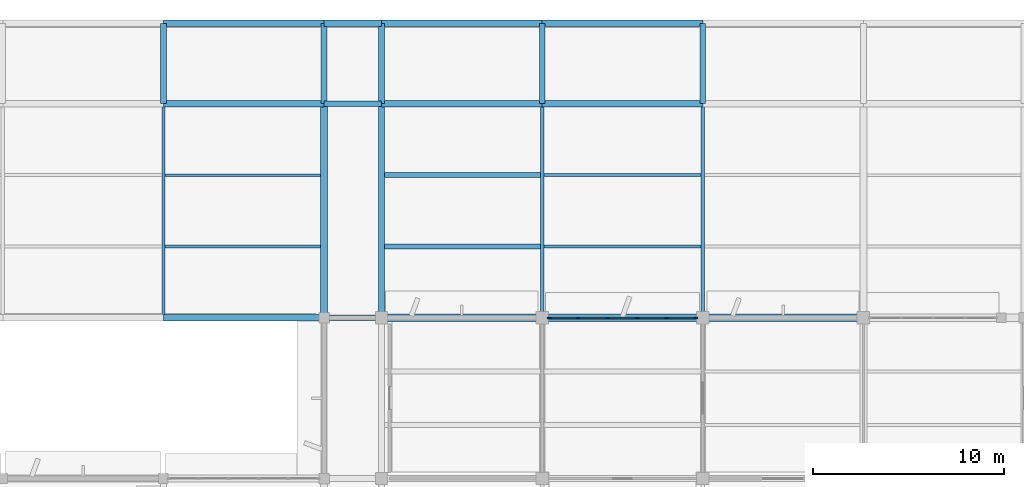
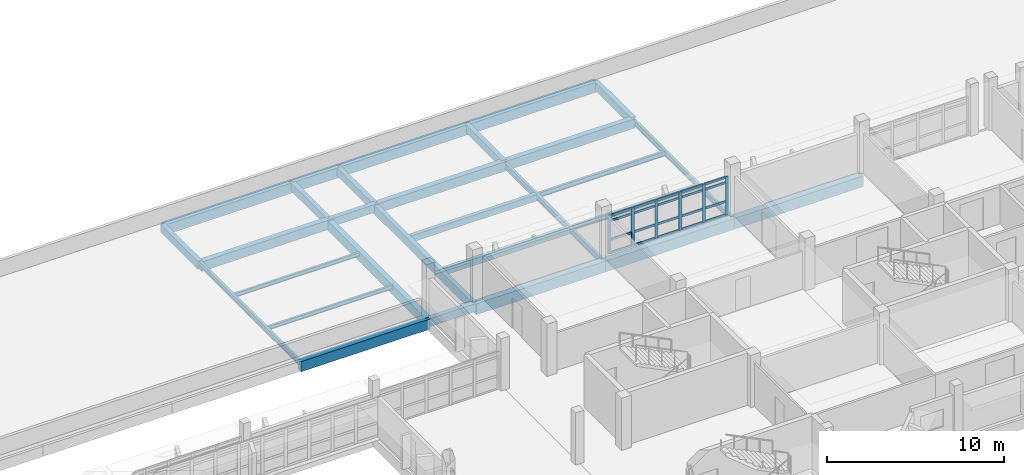
# One storey, part 40 of 92: 29 beams, 26 members, 1 element without a shape of its own.
"""IFC4 building model written with IfcOpenShell, lengths in metres."""

from ifc_helpers import new_model, si_unit, direction, frame, origin, origin_2d, place, context, subcontext, project, spatial, rectangle, i_section, extrude, material, material_profile, profile_set, type_object, element, aggregate, save


model = new_model("IFC4")

# Units and contexts
model_context = context("Model", 3, precision=1e-05, world=origin(), true_north=direction((0.0, 1.0)))
body_context = subcontext(model_context, "Body", "Model", "MODEL_VIEW")
ifc_project = project(units=[si_unit("LENGTHUNIT", "METRE"), si_unit("AREAUNIT", "SQUARE_METRE"), si_unit("VOLUMEUNIT", "CUBIC_METRE"), si_unit("PLANEANGLEUNIT", "RADIAN"), si_unit("MASSUNIT", "GRAM", prefix="KILO")], contexts=[model_context])

# Site, building, storey
site_placement = place(None, origin())
site = spatial("IfcSite", under=ifc_project, at=site_placement, CompositionType="ELEMENT")
building_placement = place(site_placement, origin())
building = spatial("IfcBuilding", under=site, at=building_placement, Name="Vanh Quang Courtyard School", CompositionType="ELEMENT")
storey_placement = place(building_placement, frame((0.0, 0.0, 7.800048828125)))
storey = spatial("IfcBuildingStorey", under=building, at=storey_placement, Name="L02", CompositionType="ELEMENT", Elevation=7.800048828125)

# Beams
ifc_material_1 = material(Name="Concrete C35/45", Category="concrete")
ifc_material_profile_1 = material_profile(ifc_material_1, rectangle(XDim=0.300048828125, YDim=0.550048828125, at=origin_2d()), Name="RC-BM 300x550")
ifc_profile_set_1 = profile_set([ifc_material_profile_1], Name="Concrete C35/45")
beam_type_1 = type_object("IfcBeamType", Name="BM-RC-300x550", PredefinedType="BEAM", material=ifc_profile_set_1)
for number, where, z_axis, x_axis, name in (
    (1, (74.39990234375, 96.60009765625, -0.554931640625), (1.0, 0.0, 0.0), (0.0, 1.0, 0.0), "Beam B-07 (L02)"),
    (2, (74.39990234375, 107.800048828125, -0.4951171875), (1.0, 0.0, 0.0), (0.0, 1.0, 0.0), "Beam B-07 (L02)"),
):
    element("IfcBeam", number, at=place(storey_placement, frame(where, z_axis=z_axis, x_axis=x_axis)), inside=storey, type_object=beam_type_1, Name=name, PredefinedType="BEAM", context=body_context, shape_type="SweptSolid", body=[
        extrude(rectangle(XDim=0.300048828125, YDim=0.550048828125, at=origin_2d()), origin(), (0.0, 0.0, 1.0), 3.0),
    ])
for number, where, z_axis, x_axis, name in (
    (3, (66.0, 107.800048828125, -0.4951171875), (0.0, 1.0, 0.0), (-1.0, 0.0, 0.0), "Beam B-07 (L02)"),
    (4, (74.39990234375, 107.800048828125, -0.4951171875), (0.0, 1.0, 0.0), (-1.0, 0.0, 0.0), "Beam B-07 (L02)"),
    (5, (77.39990234375, 107.800048828125, -0.4951171875), (0.0, 1.0, 0.0), (-1.0, 0.0, 0.0), "Beam B-07 (L02)"),
    (6, (85.800048828125, 107.800048828125, -0.4951171875), (0.0, 1.0, 0.0), (-1.0, 0.0, 0.0), "Beam B-07 (L02)"),
    (7, (94.199951171875, 107.800048828125, -0.4951171875), (0.0, 1.0, 0.0), (-1.0, 0.0, 0.0), "Beam B-07 (L02)"),
):
    element("IfcBeam", number, at=place(storey_placement, frame(where, z_axis=z_axis, x_axis=x_axis)), inside=storey, type_object=beam_type_1, Name=name, PredefinedType="BEAM", context=body_context, shape_type="SweptSolid", body=[
        extrude(rectangle(XDim=0.300048828125, YDim=0.550048828125, at=origin_2d()), origin(), (0.0, 0.0, 1.0), 4.199951171875),
    ])
ifc_material_profile_2 = material_profile(ifc_material_1, rectangle(XDim=0.300048828125, YDim=0.60009765625, at=origin_2d()), Name="RC-BM 300x600")
ifc_profile_set_2 = profile_set([ifc_material_profile_2], Name="Concrete C35/45")
beam_type_2 = type_object("IfcBeamType", Name="BM-RC-300x600", PredefinedType="BEAM", material=ifc_profile_set_2)
beam_1_placement = place(storey_placement, frame((77.39990234375, 96.60009765625, -0.580078125), z_axis=(0.0, 1.0, 0.0), x_axis=(-1.0, 0.0, 0.0)))
element("IfcBeam", 8, at=beam_1_placement, inside=storey, type_object=beam_type_2, Name="Beam B-06 (L02)", PredefinedType="BEAM", context=body_context, shape_type="SweptSolid", body=[
    extrude(rectangle(XDim=0.300048828125, YDim=0.60009765625, at=origin_2d()), origin(), (0.0, 0.0, 1.0), 11.199951171875),
])
ifc_material_profile_3 = material_profile(ifc_material_1, rectangle(XDim=0.35009765625, YDim=0.64990234375, at=origin_2d()), Name="RC-BM 350x650")
ifc_profile_set_3 = profile_set([ifc_material_profile_3], Name="Concrete C35/45")
beam_type_3 = type_object("IfcBeamType", Name="BM-RC-350x650", PredefinedType="BEAM", material=ifc_profile_set_3)
beam_2_placement = place(storey_placement, frame((66.0, 107.800048828125, -0.545166015625), z_axis=(1.0, 0.0, 0.0), x_axis=(0.0, 1.0, 0.0)))
element("IfcBeam", 9, at=beam_2_placement, inside=storey, type_object=beam_type_3, Name="Beam B-05 (L02)", PredefinedType="BEAM", context=body_context, shape_type="SweptSolid", body=[
    extrude(rectangle(XDim=0.35009765625, YDim=0.64990234375, at=origin_2d()), origin(), (0.0, 0.0, 1.0), 8.39990234375),
])
beam_3_placement = place(storey_placement, frame((77.39990234375, 107.800048828125, -0.545166015625), z_axis=(1.0, 0.0, 0.0), x_axis=(0.0, 1.0, 0.0)))
element("IfcBeam", 10, at=beam_3_placement, inside=storey, type_object=beam_type_3, Name="Beam B-05 (L02)", PredefinedType="BEAM", context=body_context, shape_type="SweptSolid", body=[
    extrude(rectangle(XDim=0.35009765625, YDim=0.64990234375, at=origin_2d()), origin(), (0.0, 0.0, 1.0), 8.400146484375),
])
beam_4_placement = place(storey_placement, frame((85.800048828125, 107.800048828125, -0.545166015625), z_axis=(1.0, 0.0, 0.0), x_axis=(0.0, 1.0, 0.0)))
element("IfcBeam", 11, at=beam_4_placement, inside=storey, type_object=beam_type_3, Name="Beam B-05 (L02)", PredefinedType="BEAM", context=body_context, shape_type="SweptSolid", body=[
    extrude(rectangle(XDim=0.35009765625, YDim=0.64990234375, at=origin_2d()), origin(), (0.0, 0.0, 1.0), 8.39990234375),
])
beam_5_placement = place(storey_placement, frame((74.39990234375, 96.60009765625, -0.60498046875), z_axis=(0.0, 1.0, 0.0), x_axis=(-1.0, 0.0, 0.0)))
element("IfcBeam", 12, at=beam_5_placement, inside=storey, type_object=beam_type_3, Name="Beam B-05 (L02)", PredefinedType="BEAM", context=body_context, shape_type="SweptSolid", body=[
    extrude(rectangle(XDim=0.35009765625, YDim=0.64990234375, at=origin_2d()), origin(), (0.0, 0.0, 1.0), 11.199951171875),
])
ifc_material_profile_4 = material_profile(ifc_material_1, rectangle(XDim=0.35009765625, YDim=0.699951171875, at=origin_2d()), Name="RC-BM 350x700")
ifc_profile_set_4 = profile_set([ifc_material_profile_4], Name="Concrete C35/45")
beam_type_4 = type_object("IfcBeamType", Name="BM-RC-350x700", PredefinedType="BEAM", material=ifc_profile_set_4)
for number, where, z_axis, x_axis, name in (
    (13, (66.0, 96.60009765625, -0.630126953125), (1.0, 0.0, 0.0), (0.0, 1.0, 0.0), "Beam B-04 (L02)"),
    (14, (66.0, 112.0, -0.570068359375), (1.0, 0.0, 0.0), (0.0, 1.0, 0.0), "Beam B-04 (L02)"),
):
    element("IfcBeam", number, at=place(storey_placement, frame(where, z_axis=z_axis, x_axis=x_axis)), inside=storey, type_object=beam_type_4, Name=name, PredefinedType="BEAM", context=body_context, shape_type="SweptSolid", body=[
        extrude(rectangle(XDim=0.35009765625, YDim=0.699951171875, at=origin_2d()), origin(), (0.0, 0.0, 1.0), 8.39990234375),
    ])
beam_6_placement = place(storey_placement, frame((74.39990234375, 112.0, -0.570068359375), z_axis=(1.0, 0.0, 0.0), x_axis=(0.0, 1.0, 0.0)))
element("IfcBeam", 15, at=beam_6_placement, inside=storey, type_object=beam_type_4, Name="Beam B-04 (L02)", PredefinedType="BEAM", context=body_context, shape_type="SweptSolid", body=[
    extrude(rectangle(XDim=0.35009765625, YDim=0.699951171875, at=origin_2d()), origin(), (0.0, 0.0, 1.0), 3.0),
])
beam_7_placement = place(storey_placement, frame((77.39990234375, 112.0, -0.570068359375), z_axis=(1.0, 0.0, 0.0), x_axis=(0.0, 1.0, 0.0)))
element("IfcBeam", 16, at=beam_7_placement, inside=storey, type_object=beam_type_4, Name="Beam B-04 (L02)", PredefinedType="BEAM", context=body_context, shape_type="SweptSolid", body=[
    extrude(rectangle(XDim=0.35009765625, YDim=0.699951171875, at=origin_2d()), origin(), (0.0, 0.0, 1.0), 8.400146484375),
])
beam_8_placement = place(storey_placement, frame((85.800048828125, 112.0, -0.570068359375), z_axis=(1.0, 0.0, 0.0), x_axis=(0.0, 1.0, 0.0)))
element("IfcBeam", 17, at=beam_8_placement, inside=storey, type_object=beam_type_4, Name="Beam B-04 (L02)", PredefinedType="BEAM", context=body_context, shape_type="SweptSolid", body=[
    extrude(rectangle(XDim=0.35009765625, YDim=0.699951171875, at=origin_2d()), origin(), (0.0, 0.0, 1.0), 8.39990234375),
])
ifc_material_profile_5 = material_profile(ifc_material_1, rectangle(XDim=0.39990234375, YDim=0.75, at=origin_2d()), Name="RC-BM 400x750")
ifc_profile_set_5 = profile_set([ifc_material_profile_5], Name="Concrete C35/45")
beam_type_5 = type_object("IfcBeamType", Name="BM-RC-400x750", PredefinedType="BEAM", material=ifc_profile_set_5)
beam_9_placement = place(storey_placement, frame((77.39990234375, 96.60009765625, -0.655029296875), z_axis=(1.0, 0.0, 0.0), x_axis=(0.0, 1.0, 0.0)))
element("IfcBeam", 18, at=beam_9_placement, inside=storey, type_object=beam_type_5, Name="Beam B-03 (L02)", PredefinedType="BEAM", context=body_context, shape_type="SweptSolid", body=[
    extrude(rectangle(XDim=0.39990234375, YDim=0.75, at=origin_2d()), origin(), (0.0, 0.0, 1.0), 8.400146484375),
])
beam_10_placement = place(storey_placement, frame((85.800048828125, 96.60009765625, -0.655029296875), z_axis=(1.0, 0.0, 0.0), x_axis=(0.0, 1.0, 0.0)))
element("IfcBeam", 19, at=beam_10_placement, inside=storey, type_object=beam_type_5, Name="Beam B-03 (L02)", PredefinedType="BEAM", context=body_context, shape_type="SweptSolid", body=[
    extrude(rectangle(XDim=0.39990234375, YDim=0.75, at=origin_2d()), origin(), (0.0, 0.0, 1.0), 8.39990234375),
])
beam_11_placement = place(storey_placement, frame((94.199951171875, 96.60009765625, -0.655029296875), z_axis=(1.0, 0.0, 0.0), x_axis=(0.0, 1.0, 0.0)))
element("IfcBeam", 20, at=beam_11_placement, inside=storey, type_object=beam_type_5, Name="Beam B-03 (L02)", PredefinedType="BEAM", context=body_context, shape_type="SweptSolid", body=[
    extrude(rectangle(XDim=0.39990234375, YDim=0.75, at=origin_2d()), origin(), (0.0, 0.0, 1.0), 8.400146484375),
])
ifc_material_2 = material(Name="Structural steel EN 10025-2 S355J2", Category="steel")
ifc_material_profile_6 = material_profile(ifc_material_2, i_section(OverallWidth=0.169921875, OverallDepth=0.360107421875, WebThickness=0.008056640625, FlangeThickness=0.0126953125, FilletRadius=0.01806640625, at=origin_2d()), Name="IPE 360")
ifc_profile_set_6 = profile_set([ifc_material_profile_6], Name="Structural steel EN 10025-2 S355J2")
beam_type_6 = type_object("IfcBeamType", Name="BM-STL-IPE360", PredefinedType="BEAM", material=ifc_profile_set_6)
for number, where, z_axis, x_axis, name in (
    (21, (66.0, 96.60009765625, -0.400146484375), (0.0, 1.0, 0.0), (-1.0, 0.0, 0.0), "Beam SB-06 (L02)"),
    (22, (94.199951171875, 96.60009765625, -0.4599609375), (0.0, 1.0, 0.0), (-1.0, 0.0, 0.0), "Beam SB-06 (L02)"),
):
    element("IfcBeam", number, at=place(storey_placement, frame(where, z_axis=z_axis, x_axis=x_axis)), inside=storey, type_object=beam_type_6, Name=name, PredefinedType="BEAM", context=body_context, shape_type="SweptSolid", body=[
        extrude(i_section(OverallWidth=0.169921875, OverallDepth=0.360107421875, WebThickness=0.008056640625, FlangeThickness=0.0126953125, FilletRadius=0.01806640625, at=origin_2d()), origin(), (0.0, 0.0, 1.0), 11.199951171875),
    ])
ifc_material_profile_7 = material_profile(ifc_material_2, i_section(OverallWidth=0.179931640625, OverallDepth=0.39990234375, WebThickness=0.008544921875, FlangeThickness=0.013427734375, FilletRadius=0.02099609375, at=origin_2d()), Name="IPE 400")
ifc_profile_set_7 = profile_set([ifc_material_profile_7], Name="Structural steel EN 10025-2 S355J2")
beam_type_7 = type_object("IfcBeamType", Name="BM-STL-IPE400", PredefinedType="BEAM", material=ifc_profile_set_7)
beam_12_placement = place(storey_placement, frame((85.800048828125, 96.60009765625, -0.47998046875), z_axis=(0.0, 1.0, 0.0), x_axis=(-1.0, 0.0, 0.0)))
element("IfcBeam", 23, at=beam_12_placement, inside=storey, type_object=beam_type_7, Name="Beam SB-05 (L02)", PredefinedType="BEAM", context=body_context, shape_type="SweptSolid", body=[
    extrude(i_section(OverallWidth=0.179931640625, OverallDepth=0.39990234375, WebThickness=0.008544921875, FlangeThickness=0.013427734375, FilletRadius=0.02099609375, at=origin_2d()), origin(), (0.0, 0.0, 1.0), 11.199951171875),
])

# Curtain wall, members
ifc_material_3 = material(Name="Thermally broken aluminium unitised curtain wall", Category="aluminium")
curtain_wall_type = type_object("IfcCurtainWallType", Name="CW-SYS-21", PredefinedType="NOTDEFINED", material=ifc_material_3)
curtain_wall_placement = place(storey_placement, origin())
curtain_wall = element("IfcCurtainWall", 24, at=curtain_wall_placement, inside=storey, type_object=curtain_wall_type, Name="Curtain Wall CW-21 (L02)", PredefinedType="NOTDEFINED")
ifc_material_4 = material(Name="Anodised aluminium 6063-T6", Category="aluminium")
ifc_material_profile_8 = material_profile(ifc_material_4, rectangle(XDim=0.080078125, YDim=0.199951171875, at=origin_2d()), Name="ALU-MUL 80x200")
ifc_profile_set_8 = profile_set([ifc_material_profile_8], Name="Anodised aluminium 6063-T6")
member_type_1 = type_object("IfcMemberType", Name="CW-MUL-80x200", PredefinedType="MULLION", material=ifc_profile_set_8)
member_1_placement = place(storey_placement, frame((86.173095703125, 96.60009765625, 0.0), z_axis=(0.0, 0.0, 1.0), x_axis=(0.0, 1.0, 0.0)))
member_1 = element("IfcMember", 25, at=member_1_placement, type_object=member_type_1, Name="CW-21 mullion 1", PredefinedType="MULLION", context=body_context, shape_type="SweptSolid", body=[
    extrude(rectangle(XDim=0.080078125, YDim=0.199951171875, at=origin_2d()), origin(), (0.0, 0.0, 1.0), 2.639892578125),
])
member_2_placement = place(storey_placement, frame((87.6796875, 96.60009765625, 0.0), z_axis=(0.0, 0.0, 1.0), x_axis=(0.0, 1.0, 0.0)))
member_2 = element("IfcMember", 26, at=member_2_placement, type_object=member_type_1, Name="CW-21 mullion 2", PredefinedType="MULLION", context=body_context, shape_type="SweptSolid", body=[
    extrude(rectangle(XDim=0.080078125, YDim=0.199951171875, at=origin_2d()), origin(), (0.0, 0.0, 1.0), 2.639892578125),
])
member_3_placement = place(storey_placement, frame((89.2265625, 96.60009765625, 0.0), z_axis=(0.0, 0.0, 1.0), x_axis=(0.0, 1.0, 0.0)))
member_3 = element("IfcMember", 27, at=member_3_placement, type_object=member_type_1, Name="CW-21 mullion 3", PredefinedType="MULLION", context=body_context, shape_type="SweptSolid", body=[
    extrude(rectangle(XDim=0.080078125, YDim=0.199951171875, at=origin_2d()), origin(), (0.0, 0.0, 1.0), 2.639892578125),
])
member_4_placement = place(storey_placement, frame((90.7734375, 96.60009765625, 0.0), z_axis=(0.0, 0.0, 1.0), x_axis=(0.0, 1.0, 0.0)))
member_4 = element("IfcMember", 28, at=member_4_placement, type_object=member_type_1, Name="CW-21 mullion 4", PredefinedType="MULLION", context=body_context, shape_type="SweptSolid", body=[
    extrude(rectangle(XDim=0.080078125, YDim=0.199951171875, at=origin_2d()), origin(), (0.0, 0.0, 1.0), 2.639892578125),
])
member_5_placement = place(storey_placement, frame((92.3203125, 96.60009765625, 0.0), z_axis=(0.0, 0.0, 1.0), x_axis=(0.0, 1.0, 0.0)))
member_5 = element("IfcMember", 29, at=member_5_placement, type_object=member_type_1, Name="CW-21 mullion 5", PredefinedType="MULLION", context=body_context, shape_type="SweptSolid", body=[
    extrude(rectangle(XDim=0.080078125, YDim=0.199951171875, at=origin_2d()), origin(), (0.0, 0.0, 1.0), 2.639892578125),
])
member_6_placement = place(storey_placement, frame((93.826904296875, 96.60009765625, 0.0), z_axis=(0.0, 0.0, 1.0), x_axis=(0.0, 1.0, 0.0)))
member_6 = element("IfcMember", 30, at=member_6_placement, type_object=member_type_1, Name="CW-21 mullion 6", PredefinedType="MULLION", context=body_context, shape_type="SweptSolid", body=[
    extrude(rectangle(XDim=0.080078125, YDim=0.199951171875, at=origin_2d()), origin(), (0.0, 0.0, 1.0), 2.639892578125),
])
ifc_material_profile_9 = material_profile(ifc_material_4, rectangle(XDim=0.080078125, YDim=0.14990234375, at=origin_2d()), Name="ALU-TRN 80x150")
ifc_profile_set_9 = profile_set([ifc_material_profile_9], Name="Anodised aluminium 6063-T6")
member_type_2 = type_object("IfcMemberType", Name="CW-TRN-80x150", PredefinedType="USERDEFINED", material=ifc_profile_set_9)
member_7_placement = place(storey_placement, frame((86.212890625, 96.60009765625, 0.0400390625), z_axis=(1.0, 0.0, 0.0), x_axis=(0.0, 1.0, 0.0)))
member_7 = element("IfcMember", 31, at=member_7_placement, type_object=member_type_2, Name="CW-21 transom 1.1", ObjectType="TRANSOM", PredefinedType="USERDEFINED", context=body_context, shape_type="SweptSolid", body=[
    extrude(rectangle(XDim=0.080078125, YDim=0.14990234375, at=origin_2d()), origin(), (0.0, 0.0, 1.0), 1.427001953125),
])
member_8_placement = place(storey_placement, frame((86.212890625, 96.60009765625, 0.949951171875), z_axis=(1.0, 0.0, 0.0), x_axis=(0.0, 1.0, 0.0)))
member_8 = element("IfcMember", 32, at=member_8_placement, type_object=member_type_2, Name="CW-21 transom 1.2", ObjectType="TRANSOM", PredefinedType="USERDEFINED", context=body_context, shape_type="SweptSolid", body=[
    extrude(rectangle(XDim=0.080078125, YDim=0.14990234375, at=origin_2d()), origin(), (0.0, 0.0, 1.0), 1.427001953125),
])
member_9_placement = place(storey_placement, frame((86.212890625, 96.60009765625, 2.25), z_axis=(1.0, 0.0, 0.0), x_axis=(0.0, 1.0, 0.0)))
member_9 = element("IfcMember", 33, at=member_9_placement, type_object=member_type_2, Name="CW-21 transom 1.3", ObjectType="TRANSOM", PredefinedType="USERDEFINED", context=body_context, shape_type="SweptSolid", body=[
    extrude(rectangle(XDim=0.080078125, YDim=0.14990234375, at=origin_2d()), origin(), (0.0, 0.0, 1.0), 1.427001953125),
])
member_10_placement = place(storey_placement, frame((86.212890625, 96.60009765625, 2.599853515625), z_axis=(1.0, 0.0, 0.0), x_axis=(0.0, 1.0, 0.0)))
member_10 = element("IfcMember", 34, at=member_10_placement, type_object=member_type_2, Name="CW-21 transom 1.4", ObjectType="TRANSOM", PredefinedType="USERDEFINED", context=body_context, shape_type="SweptSolid", body=[
    extrude(rectangle(XDim=0.080078125, YDim=0.14990234375, at=origin_2d()), origin(), (0.0, 0.0, 1.0), 1.427001953125),
])
member_11_placement = place(storey_placement, frame((87.7197265625, 96.60009765625, 0.0400390625), z_axis=(1.0, 0.0, 0.0), x_axis=(0.0, 1.0, 0.0)))
member_11 = element("IfcMember", 35, at=member_11_placement, type_object=member_type_2, Name="CW-21 transom 2.1", ObjectType="TRANSOM", PredefinedType="USERDEFINED", context=body_context, shape_type="SweptSolid", body=[
    extrude(rectangle(XDim=0.080078125, YDim=0.14990234375, at=origin_2d()), origin(), (0.0, 0.0, 1.0), 1.466796875),
])
member_12_placement = place(storey_placement, frame((87.7197265625, 96.60009765625, 0.949951171875), z_axis=(1.0, 0.0, 0.0), x_axis=(0.0, 1.0, 0.0)))
member_12 = element("IfcMember", 36, at=member_12_placement, type_object=member_type_2, Name="CW-21 transom 2.2", ObjectType="TRANSOM", PredefinedType="USERDEFINED", context=body_context, shape_type="SweptSolid", body=[
    extrude(rectangle(XDim=0.080078125, YDim=0.14990234375, at=origin_2d()), origin(), (0.0, 0.0, 1.0), 1.466796875),
])
member_13_placement = place(storey_placement, frame((87.7197265625, 96.60009765625, 2.25), z_axis=(1.0, 0.0, 0.0), x_axis=(0.0, 1.0, 0.0)))
member_13 = element("IfcMember", 37, at=member_13_placement, type_object=member_type_2, Name="CW-21 transom 2.3", ObjectType="TRANSOM", PredefinedType="USERDEFINED", context=body_context, shape_type="SweptSolid", body=[
    extrude(rectangle(XDim=0.080078125, YDim=0.14990234375, at=origin_2d()), origin(), (0.0, 0.0, 1.0), 1.466796875),
])
member_14_placement = place(storey_placement, frame((87.7197265625, 96.60009765625, 2.599853515625), z_axis=(1.0, 0.0, 0.0), x_axis=(0.0, 1.0, 0.0)))
member_14 = element("IfcMember", 38, at=member_14_placement, type_object=member_type_2, Name="CW-21 transom 2.4", ObjectType="TRANSOM", PredefinedType="USERDEFINED", context=body_context, shape_type="SweptSolid", body=[
    extrude(rectangle(XDim=0.080078125, YDim=0.14990234375, at=origin_2d()), origin(), (0.0, 0.0, 1.0), 1.466796875),
])
member_15_placement = place(storey_placement, frame((89.2666015625, 96.60009765625, 0.0400390625), z_axis=(1.0, 0.0, 0.0), x_axis=(0.0, 1.0, 0.0)))
member_15 = element("IfcMember", 39, at=member_15_placement, type_object=member_type_2, Name="CW-21 transom 3.1", ObjectType="TRANSOM", PredefinedType="USERDEFINED", context=body_context, shape_type="SweptSolid", body=[
    extrude(rectangle(XDim=0.080078125, YDim=0.14990234375, at=origin_2d()), origin(), (0.0, 0.0, 1.0), 1.466796875),
])
member_16_placement = place(storey_placement, frame((89.2666015625, 96.60009765625, 0.949951171875), z_axis=(1.0, 0.0, 0.0), x_axis=(0.0, 1.0, 0.0)))
member_16 = element("IfcMember", 40, at=member_16_placement, type_object=member_type_2, Name="CW-21 transom 3.2", ObjectType="TRANSOM", PredefinedType="USERDEFINED", context=body_context, shape_type="SweptSolid", body=[
    extrude(rectangle(XDim=0.080078125, YDim=0.14990234375, at=origin_2d()), origin(), (0.0, 0.0, 1.0), 1.466796875),
])
member_17_placement = place(storey_placement, frame((89.2666015625, 96.60009765625, 2.25), z_axis=(1.0, 0.0, 0.0), x_axis=(0.0, 1.0, 0.0)))
member_17 = element("IfcMember", 41, at=member_17_placement, type_object=member_type_2, Name="CW-21 transom 3.3", ObjectType="TRANSOM", PredefinedType="USERDEFINED", context=body_context, shape_type="SweptSolid", body=[
    extrude(rectangle(XDim=0.080078125, YDim=0.14990234375, at=origin_2d()), origin(), (0.0, 0.0, 1.0), 1.466796875),
])
member_18_placement = place(storey_placement, frame((89.2666015625, 96.60009765625, 2.599853515625), z_axis=(1.0, 0.0, 0.0), x_axis=(0.0, 1.0, 0.0)))
member_18 = element("IfcMember", 42, at=member_18_placement, type_object=member_type_2, Name="CW-21 transom 3.4", ObjectType="TRANSOM", PredefinedType="USERDEFINED", context=body_context, shape_type="SweptSolid", body=[
    extrude(rectangle(XDim=0.080078125, YDim=0.14990234375, at=origin_2d()), origin(), (0.0, 0.0, 1.0), 1.466796875),
])
member_19_placement = place(storey_placement, frame((90.8134765625, 96.60009765625, 0.0400390625), z_axis=(1.0, 0.0, 0.0), x_axis=(0.0, 1.0, 0.0)))
member_19 = element("IfcMember", 43, at=member_19_placement, type_object=member_type_2, Name="CW-21 transom 4.1", ObjectType="TRANSOM", PredefinedType="USERDEFINED", context=body_context, shape_type="SweptSolid", body=[
    extrude(rectangle(XDim=0.080078125, YDim=0.14990234375, at=origin_2d()), origin(), (0.0, 0.0, 1.0), 1.466796875),
])
member_20_placement = place(storey_placement, frame((90.8134765625, 96.60009765625, 0.949951171875), z_axis=(1.0, 0.0, 0.0), x_axis=(0.0, 1.0, 0.0)))
member_20 = element("IfcMember", 44, at=member_20_placement, type_object=member_type_2, Name="CW-21 transom 4.2", ObjectType="TRANSOM", PredefinedType="USERDEFINED", context=body_context, shape_type="SweptSolid", body=[
    extrude(rectangle(XDim=0.080078125, YDim=0.14990234375, at=origin_2d()), origin(), (0.0, 0.0, 1.0), 1.466796875),
])
member_21_placement = place(storey_placement, frame((90.8134765625, 96.60009765625, 2.25), z_axis=(1.0, 0.0, 0.0), x_axis=(0.0, 1.0, 0.0)))
member_21 = element("IfcMember", 45, at=member_21_placement, type_object=member_type_2, Name="CW-21 transom 4.3", ObjectType="TRANSOM", PredefinedType="USERDEFINED", context=body_context, shape_type="SweptSolid", body=[
    extrude(rectangle(XDim=0.080078125, YDim=0.14990234375, at=origin_2d()), origin(), (0.0, 0.0, 1.0), 1.466796875),
])
member_22_placement = place(storey_placement, frame((90.8134765625, 96.60009765625, 2.599853515625), z_axis=(1.0, 0.0, 0.0), x_axis=(0.0, 1.0, 0.0)))
member_22 = element("IfcMember", 46, at=member_22_placement, type_object=member_type_2, Name="CW-21 transom 4.4", ObjectType="TRANSOM", PredefinedType="USERDEFINED", context=body_context, shape_type="SweptSolid", body=[
    extrude(rectangle(XDim=0.080078125, YDim=0.14990234375, at=origin_2d()), origin(), (0.0, 0.0, 1.0), 1.466796875),
])
member_23_placement = place(storey_placement, frame((92.360107421875, 96.60009765625, 0.0400390625), z_axis=(1.0, 0.0, 0.0), x_axis=(0.0, 1.0, 0.0)))
member_23 = element("IfcMember", 47, at=member_23_placement, type_object=member_type_2, Name="CW-21 transom 5.1", ObjectType="TRANSOM", PredefinedType="USERDEFINED", context=body_context, shape_type="SweptSolid", body=[
    extrude(rectangle(XDim=0.080078125, YDim=0.14990234375, at=origin_2d()), origin(), (0.0, 0.0, 1.0), 1.427001953125),
])
member_24_placement = place(storey_placement, frame((92.360107421875, 96.60009765625, 0.949951171875), z_axis=(1.0, 0.0, 0.0), x_axis=(0.0, 1.0, 0.0)))
member_24 = element("IfcMember", 48, at=member_24_placement, type_object=member_type_2, Name="CW-21 transom 5.2", ObjectType="TRANSOM", PredefinedType="USERDEFINED", context=body_context, shape_type="SweptSolid", body=[
    extrude(rectangle(XDim=0.080078125, YDim=0.14990234375, at=origin_2d()), origin(), (0.0, 0.0, 1.0), 1.427001953125),
])
member_25_placement = place(storey_placement, frame((92.360107421875, 96.60009765625, 2.25), z_axis=(1.0, 0.0, 0.0), x_axis=(0.0, 1.0, 0.0)))
member_25 = element("IfcMember", 49, at=member_25_placement, type_object=member_type_2, Name="CW-21 transom 5.3", ObjectType="TRANSOM", PredefinedType="USERDEFINED", context=body_context, shape_type="SweptSolid", body=[
    extrude(rectangle(XDim=0.080078125, YDim=0.14990234375, at=origin_2d()), origin(), (0.0, 0.0, 1.0), 1.427001953125),
])
member_26_placement = place(storey_placement, frame((92.360107421875, 96.60009765625, 2.599853515625), z_axis=(1.0, 0.0, 0.0), x_axis=(0.0, 1.0, 0.0)))
member_26 = element("IfcMember", 50, at=member_26_placement, type_object=member_type_2, Name="CW-21 transom 5.4", ObjectType="TRANSOM", PredefinedType="USERDEFINED", context=body_context, shape_type="SweptSolid", body=[
    extrude(rectangle(XDim=0.080078125, YDim=0.14990234375, at=origin_2d()), origin(), (0.0, 0.0, 1.0), 1.427001953125),
])
aggregate(curtain_wall, [member_1, member_2, member_3, member_4, member_5, member_6, member_7, member_8, member_9, member_10, member_11, member_12, member_13, member_14, member_15, member_16, member_17, member_18, member_19, member_20, member_21, member_22, member_23, member_24, member_25, member_26])

# Beams
ifc_material_5 = material(Name="Concrete C30/37", Category="concrete")
ifc_material_profile_10 = material_profile(ifc_material_5, rectangle(XDim=0.25, YDim=0.449951171875, at=origin_2d()), Name="RC-JST 250x450")
ifc_profile_set_10 = profile_set([ifc_material_profile_10], Name="Concrete C30/37")
beam_type_8 = type_object("IfcBeamType", Name="JST-RC-250x450", PredefinedType="JOIST", material=ifc_profile_set_10)
for number, where, z_axis, x_axis, name in (
    (51, (77.550048828125, 100.333251953125, -0.445068359375), (1.0, 0.0, 0.0), (0.0, 1.0, 0.0), "Beam BJ-02 (L02)"),
    (52, (77.550048828125, 104.066650390625, -0.445068359375), (1.0, 0.0, 0.0), (0.0, 1.0, 0.0), "Beam BJ-02 (L02)"),
):
    element("IfcBeam", number, at=place(storey_placement, frame(where, z_axis=z_axis, x_axis=x_axis)), inside=storey, type_object=beam_type_8, Name=name, PredefinedType="JOIST", context=body_context, shape_type="SweptSolid", body=[
        extrude(rectangle(XDim=0.25, YDim=0.449951171875, at=origin_2d()), origin(), (0.0, 0.0, 1.0), 8.159912109375),
    ])
ifc_material_profile_11 = material_profile(ifc_material_2, i_section(OverallWidth=0.135009765625, OverallDepth=0.27001953125, WebThickness=0.006591796875, FlangeThickness=0.01025390625, FilletRadius=0.014892578125, at=origin_2d()), Name="IPE 270")
ifc_profile_set_11 = profile_set([ifc_material_profile_11], Name="Structural steel EN 10025-2 S355J2")
beam_type_9 = type_object("IfcBeamType", Name="JST-STL-IPE270", PredefinedType="JOIST", material=ifc_profile_set_11)
for number, where, z_axis, x_axis, name in (
    (53, (66.0849609375, 100.333251953125, -0.35498046875), (1.0, 0.0, 0.0), (0.0, 1.0, 0.0), "Beam SJ-03 (L02)"),
    (54, (66.0849609375, 104.066650390625, -0.35498046875), (1.0, 0.0, 0.0), (0.0, 1.0, 0.0), "Beam SJ-03 (L02)"),
):
    element("IfcBeam", number, at=place(storey_placement, frame(where, z_axis=z_axis, x_axis=x_axis)), inside=storey, type_object=beam_type_9, Name=name, PredefinedType="JOIST", context=body_context, shape_type="SweptSolid", body=[
        extrude(i_section(OverallWidth=0.135009765625, OverallDepth=0.27001953125, WebThickness=0.006591796875, FlangeThickness=0.01025390625, FilletRadius=0.014892578125, at=origin_2d()), origin(), (0.0, 0.0, 1.0), 8.14013671875),
    ])
ifc_material_profile_12 = material_profile(ifc_material_2, i_section(OverallWidth=0.159912109375, OverallDepth=0.330078125, WebThickness=0.007568359375, FlangeThickness=0.011474609375, FilletRadius=0.01806640625, at=origin_2d()), Name="IPE 330")
ifc_profile_set_12 = profile_set([ifc_material_profile_12], Name="Structural steel EN 10025-2 S355J2")
beam_type_10 = type_object("IfcBeamType", Name="JST-STL-IPE330", PredefinedType="JOIST", material=ifc_profile_set_12)
for number, where, z_axis, x_axis, name in (
    (55, (85.889892578125, 100.333251953125, -0.385009765625), (1.0, 0.0, 0.0), (0.0, 1.0, 0.0), "Beam SJ-01 (L02)"),
    (56, (85.889892578125, 104.066650390625, -0.385009765625), (1.0, 0.0, 0.0), (0.0, 1.0, 0.0), "Beam SJ-01 (L02)"),
):
    element("IfcBeam", number, at=place(storey_placement, frame(where, z_axis=z_axis, x_axis=x_axis)), inside=storey, type_object=beam_type_10, Name=name, PredefinedType="JOIST", context=body_context, shape_type="SweptSolid", body=[
        extrude(i_section(OverallWidth=0.159912109375, OverallDepth=0.330078125, WebThickness=0.007568359375, FlangeThickness=0.011474609375, FilletRadius=0.01806640625, at=origin_2d()), origin(), (0.0, 0.0, 1.0), 8.22509765625),
    ])

save(model, "model.ifc")
